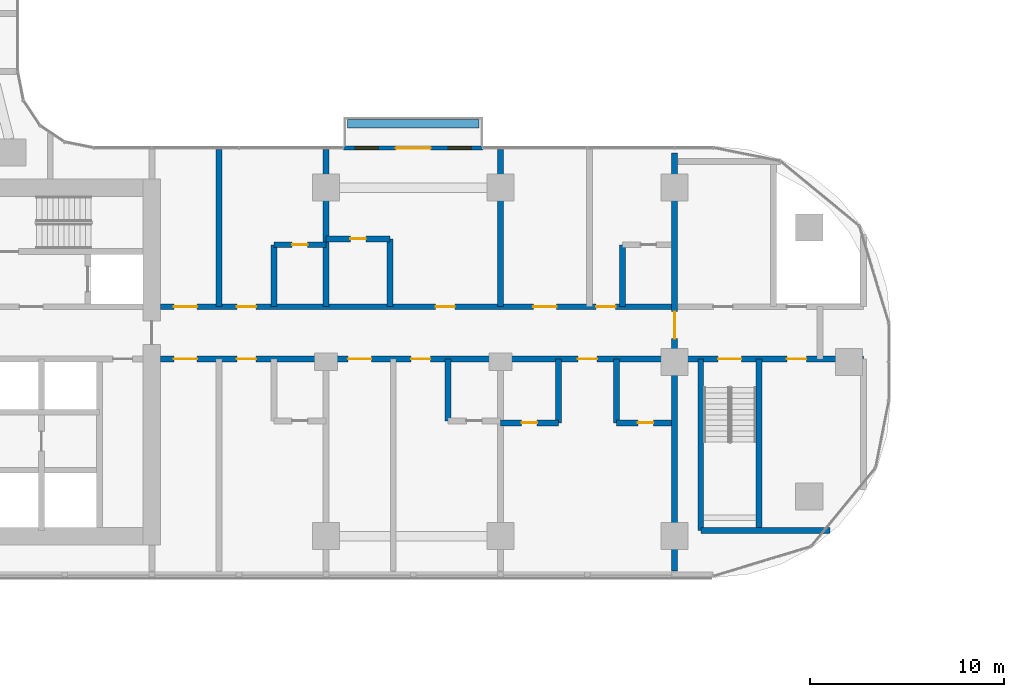
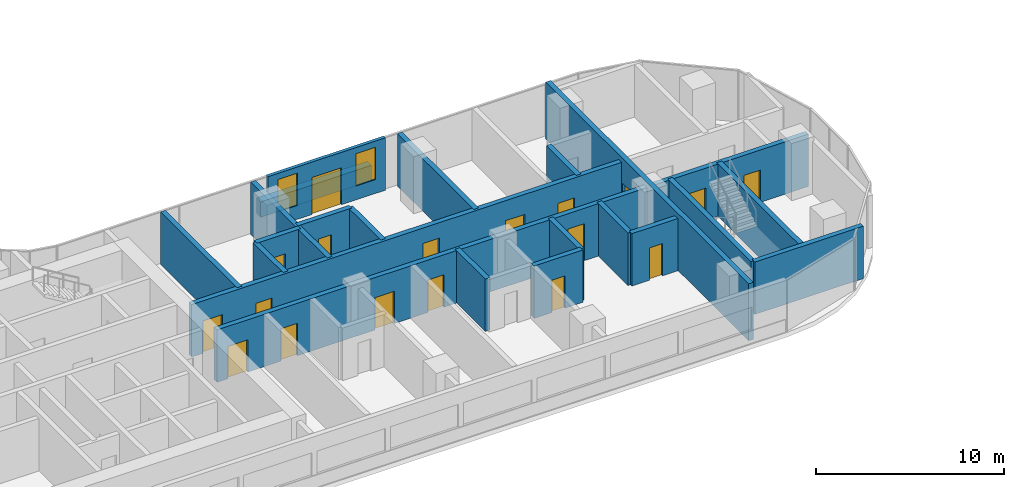
# One storey, part 17 of 32: 22 walls, 18 doors, 2 windows, 20 openings.
"""IFC4 building model written with IfcOpenShell, lengths in metres."""

from ifc_helpers import new_model, si_unit, direction, frame, frame_2d, origin, origin_2d, place, context, subcontext, project, spatial, rectangle, extrude, material, layer, layer_set, type_object, element, fill, save


model = new_model("IFC4")

# Units and contexts
model_context = context("Model", 3, precision=1e-05, world=origin(), true_north=direction((0.0, 1.0)))
body_context = subcontext(model_context, "Body", "Model", "MODEL_VIEW")
ifc_project = project(units=[si_unit("LENGTHUNIT", "METRE"), si_unit("AREAUNIT", "SQUARE_METRE"), si_unit("VOLUMEUNIT", "CUBIC_METRE"), si_unit("PLANEANGLEUNIT", "RADIAN"), si_unit("MASSUNIT", "GRAM", prefix="KILO")], contexts=[model_context])

# Site, building, storey
site_placement = place(None, origin())
site = spatial("IfcSite", under=ifc_project, at=site_placement, CompositionType="ELEMENT")
building_placement = place(site_placement, origin())
building = spatial("IfcBuilding", under=site, at=building_placement, Name="Ogive Portal Towers", CompositionType="ELEMENT")
storey_placement = place(building_placement, frame((0.0, 0.0, 55.699951171875)))
storey = spatial("IfcBuildingStorey", under=building, at=storey_placement, Name="L12", CompositionType="ELEMENT", Elevation=55.699951171875)

# Wall, openings, door, windows
ifc_material_1 = material(Name="Limestone cladding on lightweight block wall", Category="masonry")
ifc_layer_1 = layer(ifc_material_1, 0.199951171875)
ifc_layer_set_1 = layer_set([ifc_layer_1], Name="BALCONY BAY WALL 200")
wall_type_1 = type_object("IfcWallType", Name="BALCONY BAY WALL 200", PredefinedType="SOLIDWALL", material=ifc_layer_set_1)
wall_1_placement = place(storey_placement, frame((68.39990234375, 41.544921875, 0.0), z_axis=(0.0, 0.0, 1.0), x_axis=(1.0, 0.0, 0.0)))
wall_1 = element("IfcWall", 1, at=wall_1_placement, inside=storey, type_object=wall_type_1, Name="A:L12:f16:bay0", PredefinedType="SOLIDWALL", context=body_context, shape_type="SweptSolid", body=[
    extrude(rectangle(XDim=7.2001953125, YDim=0.199951171875, at=frame_2d((3.60009765625, 0.0))), origin(), (0.0, 0.0, 1.0), 3.400146484375),
])
opening_1_placement = place(wall_1_placement, frame((2.699951171875, 0.0, 0.0)))
opening_1 = element("IfcOpeningElement", 2, at=opening_1_placement, cuts=wall_1, Name="Opening DX025", PredefinedType="OPENING", context=body_context, shape_type="SweptSolid", body=[
    extrude(rectangle(XDim=1.800048828125, YDim=2.39990234375, at=frame_2d((0.89990234375, 1.199951171875))), frame((0.0, 0.10986328125, 0.0), z_axis=(0.0, -1.0, 0.0), x_axis=(1.0, 0.0, 0.0)), (0.0, 0.0, 1.0), 0.219970703125),
])
opening_2_placement = place(wall_1_placement, frame((5.39990234375, 0.0, 0.89990234375)))
opening_2 = element("IfcOpeningElement", 3, at=opening_2_placement, cuts=wall_1, Name="Opening WN2", PredefinedType="OPENING", context=body_context, shape_type="SweptSolid", body=[
    extrude(rectangle(XDim=1.199951171875, YDim=2.10009765625, at=frame_2d((0.60009765625, 1.050048828125))), frame((0.0, 0.10986328125, 0.0), z_axis=(0.0, -1.0, 0.0), x_axis=(1.0, 0.0, 0.0)), (0.0, 0.0, 1.0), 0.219970703125),
])
opening_3_placement = place(wall_1_placement, frame((0.60009765625, 0.0, 0.89990234375)))
opening_3 = element("IfcOpeningElement", 4, at=opening_3_placement, cuts=wall_1, Name="Opening WN2", PredefinedType="OPENING", context=body_context, shape_type="SweptSolid", body=[
    extrude(rectangle(XDim=1.199951171875, YDim=2.10009765625, at=frame_2d((0.60009765625, 1.050048828125))), frame((0.0, 0.10986328125, 0.0), z_axis=(0.0, -1.0, 0.0), x_axis=(1.0, 0.0, 0.0)), (0.0, 0.0, 1.0), 0.219970703125),
])
ifc_material_2 = material(Name="Aluminium 6063 anodised", Category="aluminium")
door_type_1 = type_object("IfcDoorType", Name="BALCONY DOOR 1800x2400", OperationType="DOUBLE_DOOR_SINGLE_SWING", PredefinedType="DOOR", material=ifc_material_2)
door_1_placement = place(opening_1_placement, origin())
door_1 = element("IfcDoor", 5, at=door_1_placement, inside=storey, type_object=door_type_1, Name="A:L12:f16:bay0/o0", OperationType="SINGLE_SWING_LEFT", OverallHeight=2.39990234375, OverallWidth=1.800048828125, PredefinedType="DOOR", context=body_context, shape_type="SweptSolid", body=[
    extrude(rectangle(XDim=1.800048828125, YDim=2.39990234375, at=frame_2d((0.89990234375, 1.199951171875))), frame((0.0, 0.02490234375, 0.0), z_axis=(0.0, -1.0, 0.0), x_axis=(1.0, 0.0, 0.0)), (0.0, 0.0, 1.0), 0.050048828125),
])
fill(opening_1, door_1)
ifc_material_3 = material(Name="Glass, clear low-iron insulated glazing", Category="glass")
window_type = type_object("IfcWindowType", Name="WINDOW BALCONY BAY 1200x2100", PartitioningType="SINGLE_PANEL", PredefinedType="WINDOW", material=ifc_material_3)
window_1_placement = place(opening_2_placement, origin())
window_1 = element("IfcWindow", 6, at=window_1_placement, inside=storey, type_object=window_type, Name="A:L12:f16:bay0/o1", OverallHeight=2.10009765625, OverallWidth=1.199951171875, PartitioningType="SINGLE_PANEL", PredefinedType="WINDOW", context=body_context, shape_type="SweptSolid", body=[
    extrude(rectangle(XDim=1.199951171875, YDim=2.10009765625, at=frame_2d((0.60009765625, 1.050048828125))), frame((0.0, 0.030029296875, 0.0), z_axis=(0.0, -1.0, 0.0), x_axis=(1.0, 0.0, 0.0)), (0.0, 0.0, 1.0), 0.06005859375),
])
fill(opening_2, window_1)
window_2_placement = place(opening_3_placement, origin())
window_2 = element("IfcWindow", 7, at=window_2_placement, inside=storey, type_object=window_type, Name="A:L12:f16:bay0/o2", OverallHeight=2.10009765625, OverallWidth=1.199951171875, PartitioningType="SINGLE_PANEL", PredefinedType="WINDOW", context=body_context, shape_type="SweptSolid", body=[
    extrude(rectangle(XDim=1.199951171875, YDim=2.10009765625, at=frame_2d((0.60009765625, 1.050048828125))), frame((0.0, 0.030029296875, 0.0), z_axis=(0.0, -1.0, 0.0), x_axis=(1.0, 0.0, 0.0)), (0.0, 0.0, 1.0), 0.06005859375),
])
fill(opening_3, window_2)

# Wall
ifc_material_4 = material(Name="Concrete C40/50", Category="concrete")
ifc_layer_2 = layer(ifc_material_4, 0.449951171875)
ifc_layer_set_2 = layer_set([ifc_layer_2], Name="PLANTER WALL 450")
wall_type_2 = type_object("IfcWallType", Name="PLANTER WALL 450", PredefinedType="SOLIDWALL", material=ifc_layer_set_2)
wall_2_placement = place(storey_placement, frame((72.0, 42.800048828125, 0.0), z_axis=(0.0, 0.0, 1.0), x_axis=(1.0, 0.0, 0.0)))
element("IfcWall", 8, at=wall_2_placement, inside=storey, type_object=wall_type_2, Name="Planter T2", PredefinedType="SOLIDWALL", context=body_context, shape_type="SweptSolid", body=[
    extrude(rectangle(XDim=6.800048828125, YDim=0.449951171875, at=origin_2d()), origin(), (0.0, 0.0, 1.0), 1.0),
])

# Wall, opening, door
ifc_material_5 = material(Name="Concrete C60/75", Category="concrete")
ifc_layer_3 = layer(ifc_material_5, 0.300048828125)
ifc_layer_set_3 = layer_set([ifc_layer_3], Name="REVEAL WALL 300 C60")
wall_type_3 = type_object("IfcWallType", Name="REVEAL WALL 300 C60", PredefinedType="SHEAR", material=ifc_layer_set_3)
wall_3_placement = place(storey_placement, frame((85.5, 19.705078125, 0.0), z_axis=(0.0, 0.0, 1.0), x_axis=(0.0, 1.0, 0.0)))
wall_3 = element("IfcWall", 9, at=wall_3_placement, inside=storey, type_object=wall_type_3, Name="Portal reveal wall L12", PredefinedType="SHEAR", context=body_context, shape_type="SweptSolid", body=[
    extrude(rectangle(XDim=21.58984375, YDim=0.300048828125, at=frame_2d((10.794921875, 0.0))), origin(), (0.0, 0.0, 1.0), 3.699951171875),
])
opening_4_placement = place(wall_3_placement, frame((11.9951171875, 0.0, 0.0)))
opening_4 = element("IfcOpeningElement", 10, at=opening_4_placement, cuts=wall_3, Name="Opening D03-063", PredefinedType="OPENING", context=body_context, shape_type="SweptSolid", body=[
    extrude(rectangle(XDim=1.39990234375, YDim=2.10009765625, at=frame_2d((0.699951171875, 1.050048828125))), frame((0.0, 0.16015625, 0.0), z_axis=(0.0, -1.0, 0.0), x_axis=(1.0, 0.0, 0.0)), (0.0, 0.0, 1.0), 0.320068359375),
])
ifc_material_6 = material(Name="Steel fire door", Category="steel")
door_type_2 = type_object("IfcDoorType", Name="DT-STAIR-1400x2100-FD90S", OperationType="SINGLE_SWING_LEFT", PredefinedType="DOOR", material=ifc_material_6)
door_2_placement = place(opening_4_placement, origin())
door_2 = element("IfcDoor", 11, at=door_2_placement, inside=storey, type_object=door_type_2, Name="Door D03-063", OperationType="SINGLE_SWING_RIGHT", OverallHeight=2.10009765625, OverallWidth=1.39990234375, PredefinedType="DOOR", context=body_context, shape_type="SweptSolid", body=[
    extrude(rectangle(XDim=1.39990234375, YDim=2.10009765625, at=frame_2d((0.699951171875, 1.050048828125))), frame((0.0, 0.02490234375, 0.0), z_axis=(0.0, -1.0, 0.0), x_axis=(1.0, 0.0, 0.0)), (0.0, 0.0, 1.0), 0.050048828125),
])
fill(opening_4, door_2)

# Wall
ifc_material_7 = material(Name="Concrete C50/60", Category="concrete")
ifc_layer_4 = layer(ifc_material_7, 0.300048828125)
ifc_layer_set_4 = layer_set([ifc_layer_4], Name="STAIR WALL 300 C50")
wall_type_4 = type_object("IfcWallType", Name="STAIR WALL 300 C50", PredefinedType="SHEAR", material=ifc_layer_set_4)
wall_4_placement = place(storey_placement, frame((86.85009765625, 21.800048828125, 0.0), z_axis=(0.0, 0.0, 1.0), x_axis=(1.0, 0.0, 0.0)))
element("IfcWall", 12, at=wall_4_placement, inside=storey, type_object=wall_type_4, Name="Stair wall ST-A4 L12", PredefinedType="SHEAR", context=body_context, shape_type="SweptSolid", body=[
    extrude(rectangle(XDim=6.663818359375, YDim=0.300048828125, at=frame_2d((3.33203125, 0.0))), origin(), (0.0, 0.0, 1.0), 3.400146484375),
])

# Wall, openings, doors
wall_5_placement = place(storey_placement, frame((85.669921875, 30.64990234375, 0.0), z_axis=(0.0, 0.0, 1.0), x_axis=(1.0, 0.0, 0.0)))
wall_5 = element("IfcWall", 13, at=wall_5_placement, inside=storey, type_object=wall_type_4, Name="Stair wall ST-A4 L12", PredefinedType="SHEAR", context=body_context, shape_type="SweptSolid", body=[
    extrude(rectangle(XDim=9.580078125, YDim=0.300048828125, at=frame_2d((4.7900390625, 0.0))), origin(), (0.0, 0.0, 1.0), 3.400146484375),
])
opening_5_placement = place(wall_5_placement, frame((2.080078125, 0.0, 0.0)))
opening_5 = element("IfcOpeningElement", 14, at=opening_5_placement, cuts=wall_5, Name="Opening D03-058", PredefinedType="OPENING", context=body_context, shape_type="SweptSolid", body=[
    extrude(rectangle(XDim=1.199951171875, YDim=2.10009765625, at=frame_2d((0.60009765625, 1.050048828125))), frame((0.0, 0.16015625, 0.0), z_axis=(0.0, -1.0, 0.0), x_axis=(1.0, 0.0, 0.0)), (0.0, 0.0, 1.0), 0.320068359375),
])
opening_6_placement = place(wall_5_placement, frame((5.6298828125, 0.0, 0.0)))
opening_6 = element("IfcOpeningElement", 15, at=opening_6_placement, cuts=wall_5, Name="Opening D03-061", PredefinedType="OPENING", context=body_context, shape_type="SweptSolid", body=[
    extrude(rectangle(XDim=1.0, YDim=2.10009765625, at=frame_2d((0.5, 1.050048828125))), frame((0.0, 0.16015625, 0.0), z_axis=(0.0, -1.0, 0.0), x_axis=(1.0, 0.0, 0.0)), (0.0, 0.0, 1.0), 0.320068359375),
])
door_type_3 = type_object("IfcDoorType", Name="DT-SERVICE-1000x2100-FD90S", OperationType="SINGLE_SWING_LEFT", PredefinedType="DOOR", material=ifc_material_6)
door_3_placement = place(opening_6_placement, origin())
door_3 = element("IfcDoor", 16, at=door_3_placement, inside=storey, type_object=door_type_3, Name="Door D03-061", OperationType="SINGLE_SWING_LEFT", OverallHeight=2.10009765625, OverallWidth=1.0, PredefinedType="DOOR", context=body_context, shape_type="SweptSolid", body=[
    extrude(rectangle(XDim=1.0, YDim=2.10009765625, at=frame_2d((0.5, 1.050048828125))), frame((0.0, 0.02490234375, 0.0), z_axis=(0.0, -1.0, 0.0), x_axis=(1.0, 0.0, 0.0)), (0.0, 0.0, 1.0), 0.050048828125),
])
fill(opening_6, door_3)
door_type_4 = type_object("IfcDoorType", Name="DT-STAIR-1200x2100-FD90S", OperationType="SINGLE_SWING_LEFT", PredefinedType="DOOR", material=ifc_material_6)
door_4_placement = place(opening_5_placement, origin())
door_4 = element("IfcDoor", 17, at=door_4_placement, inside=storey, type_object=door_type_4, Name="Door D03-058", OperationType="SINGLE_SWING_LEFT", OverallHeight=2.10009765625, OverallWidth=1.199951171875, PredefinedType="DOOR", context=body_context, shape_type="SweptSolid", body=[
    extrude(rectangle(XDim=1.199951171875, YDim=2.10009765625, at=frame_2d((0.60009765625, 1.050048828125))), frame((0.0, 0.02490234375, 0.0), z_axis=(0.0, -1.0, 0.0), x_axis=(1.0, 0.0, 0.0)), (0.0, 0.0, 1.0), 0.050048828125),
])
fill(opening_5, door_4)

# Walls
for number, where, z_axis, x_axis, name in (
    (18, (86.85009765625, 21.800048828125, 0.0), (0.0, 0.0, 1.0), (0.0, 1.0, 0.0), "Stair wall ST-A4 L12"),
    (19, (89.85009765625, 21.800048828125, 0.0), (0.0, 0.0, 1.0), (0.0, 1.0, 0.0), "Stair wall ST-A4 L12"),
):
    element("IfcWall", number, at=place(storey_placement, frame(where, z_axis=z_axis, x_axis=x_axis)), inside=storey, type_object=wall_type_4, Name=name, PredefinedType="SHEAR", context=body_context, shape_type="SweptSolid", body=[
        extrude(rectangle(XDim=8.849853515625, YDim=0.300048828125, at=frame_2d((4.4248046875, 0.0))), origin(), (0.0, 0.0, 1.0), 3.400146484375),
    ])

# Wall, openings, doors
ifc_material_8 = material(Name="Gypsum board partition on steel studs", Category="steel")
ifc_layer_5 = layer(ifc_material_8, 0.300048828125)
ifc_layer_set_5 = layer_set([ifc_layer_5], Name="WT-PART-300-EI 120")
wall_type_5 = type_object("IfcWallType", Name="WT-PART-300-EI 120", PredefinedType="PARTITIONING", material=ifc_layer_set_5)
wall_6_placement = place(storey_placement, frame((58.949951171875, 30.64990234375, 0.0), z_axis=(0.0, 0.0, 1.0), x_axis=(1.0, 0.0, 0.0)))
wall_6 = element("IfcWall", 20, at=wall_6_placement, inside=storey, type_object=wall_type_5, Name="Wall L12:w006", PredefinedType="PARTITIONING", context=body_context, shape_type="SweptSolid", body=[
    extrude(rectangle(XDim=26.380126953125, YDim=0.300048828125, at=frame_2d((13.18994140625, 0.0))), origin(), (0.0, 0.0, 1.0), 3.400146484375),
])
opening_7_placement = place(wall_6_placement, frame((0.68505859375, 0.0, 0.0)))
opening_7 = element("IfcOpeningElement", 21, at=opening_7_placement, cuts=wall_6, Name="Opening D03-029", PredefinedType="OPENING", context=body_context, shape_type="SweptSolid", body=[
    extrude(rectangle(XDim=1.199951171875, YDim=2.10009765625, at=frame_2d((0.60009765625, 1.050048828125))), frame((0.0, 0.16015625, 0.0), z_axis=(0.0, -1.0, 0.0), x_axis=(1.0, 0.0, 0.0)), (0.0, 0.0, 1.0), 0.320068359375),
])
opening_8_placement = place(wall_6_placement, frame((3.93505859375, 0.0, 0.0)))
opening_8 = element("IfcOpeningElement", 22, at=opening_8_placement, cuts=wall_6, Name="Opening D03-031", PredefinedType="OPENING", context=body_context, shape_type="SweptSolid", body=[
    extrude(rectangle(XDim=1.0, YDim=2.10009765625, at=frame_2d((0.5, 1.050048828125))), frame((0.0, 0.16015625, 0.0), z_axis=(0.0, -1.0, 0.0), x_axis=(1.0, 0.0, 0.0)), (0.0, 0.0, 1.0), 0.320068359375),
])
opening_9_placement = place(wall_6_placement, frame((9.68505859375, 0.0, 0.0)))
opening_9 = element("IfcOpeningElement", 23, at=opening_9_placement, cuts=wall_6, Name="Opening D03-034", PredefinedType="OPENING", context=body_context, shape_type="SweptSolid", body=[
    extrude(rectangle(XDim=1.199951171875, YDim=2.10009765625, at=frame_2d((0.60009765625, 1.050048828125))), frame((0.0, 0.16015625, 0.0), z_axis=(0.0, -1.0, 0.0), x_axis=(1.0, 0.0, 0.0)), (0.0, 0.0, 1.0), 0.320068359375),
])
opening_10_placement = place(wall_6_placement, frame((12.93505859375, 0.0, 0.0)))
opening_10 = element("IfcOpeningElement", 24, at=opening_10_placement, cuts=wall_6, Name="Opening D03-036", PredefinedType="OPENING", context=body_context, shape_type="SweptSolid", body=[
    extrude(rectangle(XDim=1.0, YDim=2.10009765625, at=frame_2d((0.5, 1.050048828125))), frame((0.0, 0.16015625, 0.0), z_axis=(0.0, -1.0, 0.0), x_axis=(1.0, 0.0, 0.0)), (0.0, 0.0, 1.0), 0.320068359375),
])
opening_11_placement = place(wall_6_placement, frame((21.550048828125, 0.0, 0.0)))
opening_11 = element("IfcOpeningElement", 25, at=opening_11_placement, cuts=wall_6, Name="Opening D03-042", PredefinedType="OPENING", context=body_context, shape_type="SweptSolid", body=[
    extrude(rectangle(XDim=1.0, YDim=2.39990234375, at=frame_2d((0.5, 1.199951171875))), frame((0.0, 0.16015625, 0.0), z_axis=(0.0, -1.0, 0.0), x_axis=(1.0, 0.0, 0.0)), (0.0, 0.0, 1.0), 0.320068359375),
])
door_type_5 = type_object("IfcDoorType", Name="DT-ENTRY-1000x2100-FD90S", OperationType="SINGLE_SWING_LEFT", PredefinedType="DOOR", material=ifc_material_6)
door_5_placement = place(opening_8_placement, origin())
door_5 = element("IfcDoor", 26, at=door_5_placement, inside=storey, type_object=door_type_5, Name="Door D03-031", OperationType="SINGLE_SWING_LEFT", OverallHeight=2.10009765625, OverallWidth=1.0, PredefinedType="DOOR", context=body_context, shape_type="SweptSolid", body=[
    extrude(rectangle(XDim=1.0, YDim=2.10009765625, at=frame_2d((0.5, 1.050048828125))), frame((0.0, 0.02490234375, 0.0), z_axis=(0.0, -1.0, 0.0), x_axis=(1.0, 0.0, 0.0)), (0.0, 0.0, 1.0), 0.050048828125),
])
fill(opening_8, door_5)
door_6_placement = place(opening_10_placement, origin())
door_6 = element("IfcDoor", 27, at=door_6_placement, inside=storey, type_object=door_type_5, Name="Door D03-036", OperationType="SINGLE_SWING_LEFT", OverallHeight=2.10009765625, OverallWidth=1.0, PredefinedType="DOOR", context=body_context, shape_type="SweptSolid", body=[
    extrude(rectangle(XDim=1.0, YDim=2.10009765625, at=frame_2d((0.5, 1.050048828125))), frame((0.0, 0.02490234375, 0.0), z_axis=(0.0, -1.0, 0.0), x_axis=(1.0, 0.0, 0.0)), (0.0, 0.0, 1.0), 0.050048828125),
])
fill(opening_10, door_6)
door_type_6 = type_object("IfcDoorType", Name="DT-ENTRY-1000x2400-FD90S", OperationType="SINGLE_SWING_LEFT", PredefinedType="DOOR", material=ifc_material_6)
door_7_placement = place(opening_11_placement, origin())
door_7 = element("IfcDoor", 28, at=door_7_placement, inside=storey, type_object=door_type_6, Name="Door D03-042", OperationType="SINGLE_SWING_RIGHT", OverallHeight=2.39990234375, OverallWidth=1.0, PredefinedType="DOOR", context=body_context, shape_type="SweptSolid", body=[
    extrude(rectangle(XDim=1.0, YDim=2.39990234375, at=frame_2d((0.5, 1.199951171875))), frame((0.0, 0.02490234375, 0.0), z_axis=(0.0, -1.0, 0.0), x_axis=(1.0, 0.0, 0.0)), (0.0, 0.0, 1.0), 0.050048828125),
])
fill(opening_11, door_7)
door_type_7 = type_object("IfcDoorType", Name="DT-ENTRY-1200x2100-FD90S", OperationType="SINGLE_SWING_LEFT", PredefinedType="DOOR", material=ifc_material_6)
door_8_placement = place(opening_7_placement, origin())
door_8 = element("IfcDoor", 29, at=door_8_placement, inside=storey, type_object=door_type_7, Name="Door D03-029", OperationType="SINGLE_SWING_LEFT", OverallHeight=2.10009765625, OverallWidth=1.199951171875, PredefinedType="DOOR", context=body_context, shape_type="SweptSolid", body=[
    extrude(rectangle(XDim=1.199951171875, YDim=2.10009765625, at=frame_2d((0.60009765625, 1.050048828125))), frame((0.0, 0.02490234375, 0.0), z_axis=(0.0, -1.0, 0.0), x_axis=(1.0, 0.0, 0.0)), (0.0, 0.0, 1.0), 0.050048828125),
])
fill(opening_7, door_8)
door_9_placement = place(opening_9_placement, origin())
door_9 = element("IfcDoor", 30, at=door_9_placement, inside=storey, type_object=door_type_7, Name="Door D03-034", OperationType="SINGLE_SWING_RIGHT", OverallHeight=2.10009765625, OverallWidth=1.199951171875, PredefinedType="DOOR", context=body_context, shape_type="SweptSolid", body=[
    extrude(rectangle(XDim=1.199951171875, YDim=2.10009765625, at=frame_2d((0.60009765625, 1.050048828125))), frame((0.0, 0.02490234375, 0.0), z_axis=(0.0, -1.0, 0.0), x_axis=(1.0, 0.0, 0.0)), (0.0, 0.0, 1.0), 0.050048828125),
])
fill(opening_9, door_9)

wall_7_placement = place(storey_placement, frame((58.949951171875, 33.35009765625, 0.0), z_axis=(0.0, 0.0, 1.0), x_axis=(1.0, 0.0, 0.0)))
wall_7 = element("IfcWall", 31, at=wall_7_placement, inside=storey, type_object=wall_type_5, Name="Wall L12:w008", PredefinedType="PARTITIONING", context=body_context, shape_type="SweptSolid", body=[
    extrude(rectangle(XDim=26.380126953125, YDim=0.300048828125, at=frame_2d((13.18994140625, 0.0))), origin(), (0.0, 0.0, 1.0), 3.400146484375),
])
opening_12_placement = place(wall_7_placement, frame((0.68505859375, 0.0, 0.0)))
opening_12 = element("IfcOpeningElement", 32, at=opening_12_placement, cuts=wall_7, Name="Opening D03-026", PredefinedType="OPENING", context=body_context, shape_type="SweptSolid", body=[
    extrude(rectangle(XDim=1.199951171875, YDim=2.10009765625, at=frame_2d((0.60009765625, 1.050048828125))), frame((0.0, 0.16015625, 0.0), z_axis=(0.0, -1.0, 0.0), x_axis=(1.0, 0.0, 0.0)), (0.0, 0.0, 1.0), 0.320068359375),
])
opening_13_placement = place(wall_7_placement, frame((3.93505859375, 0.0, 0.0)))
opening_13 = element("IfcOpeningElement", 33, at=opening_13_placement, cuts=wall_7, Name="Opening D03-028", PredefinedType="OPENING", context=body_context, shape_type="SweptSolid", body=[
    extrude(rectangle(XDim=1.0, YDim=2.10009765625, at=frame_2d((0.5, 1.050048828125))), frame((0.0, 0.16015625, 0.0), z_axis=(0.0, -1.0, 0.0), x_axis=(1.0, 0.0, 0.0)), (0.0, 0.0, 1.0), 0.320068359375),
])
opening_14_placement = place(wall_7_placement, frame((14.199951171875, 0.0, 0.0)))
opening_14 = element("IfcOpeningElement", 34, at=opening_14_placement, cuts=wall_7, Name="Opening D03-033", PredefinedType="OPENING", context=body_context, shape_type="SweptSolid", body=[
    extrude(rectangle(XDim=1.0, YDim=2.39990234375, at=frame_2d((0.5, 1.199951171875))), frame((0.0, 0.16015625, 0.0), z_axis=(0.0, -1.0, 0.0), x_axis=(1.0, 0.0, 0.0)), (0.0, 0.0, 1.0), 0.320068359375),
])
opening_15_placement = place(wall_7_placement, frame((19.25, 0.0, 0.0)))
opening_15 = element("IfcOpeningElement", 35, at=opening_15_placement, cuts=wall_7, Name="Opening D03-037", PredefinedType="OPENING", context=body_context, shape_type="SweptSolid", body=[
    extrude(rectangle(XDim=1.199951171875, YDim=2.10009765625, at=frame_2d((0.60009765625, 1.050048828125))), frame((0.0, 0.16015625, 0.0), z_axis=(0.0, -1.0, 0.0), x_axis=(1.0, 0.0, 0.0)), (0.0, 0.0, 1.0), 0.320068359375),
])
opening_16_placement = place(wall_7_placement, frame((22.5, 0.0, 0.0)))
opening_16 = element("IfcOpeningElement", 36, at=opening_16_placement, cuts=wall_7, Name="Opening D03-039", PredefinedType="OPENING", context=body_context, shape_type="SweptSolid", body=[
    extrude(rectangle(XDim=1.0, YDim=2.10009765625, at=frame_2d((0.5, 1.050048828125))), frame((0.0, 0.16015625, 0.0), z_axis=(0.0, -1.0, 0.0), x_axis=(1.0, 0.0, 0.0)), (0.0, 0.0, 1.0), 0.320068359375),
])
door_10_placement = place(opening_13_placement, origin())
door_10 = element("IfcDoor", 37, at=door_10_placement, inside=storey, type_object=door_type_5, Name="Door D03-028", OperationType="SINGLE_SWING_LEFT", OverallHeight=2.10009765625, OverallWidth=1.0, PredefinedType="DOOR", context=body_context, shape_type="SweptSolid", body=[
    extrude(rectangle(XDim=1.0, YDim=2.10009765625, at=frame_2d((0.5, 1.050048828125))), frame((0.0, 0.02490234375, 0.0), z_axis=(0.0, -1.0, 0.0), x_axis=(1.0, 0.0, 0.0)), (0.0, 0.0, 1.0), 0.050048828125),
])
fill(opening_13, door_10)
door_11_placement = place(opening_16_placement, origin())
door_11 = element("IfcDoor", 38, at=door_11_placement, inside=storey, type_object=door_type_5, Name="Door D03-039", OperationType="SINGLE_SWING_LEFT", OverallHeight=2.10009765625, OverallWidth=1.0, PredefinedType="DOOR", context=body_context, shape_type="SweptSolid", body=[
    extrude(rectangle(XDim=1.0, YDim=2.10009765625, at=frame_2d((0.5, 1.050048828125))), frame((0.0, 0.02490234375, 0.0), z_axis=(0.0, -1.0, 0.0), x_axis=(1.0, 0.0, 0.0)), (0.0, 0.0, 1.0), 0.050048828125),
])
fill(opening_16, door_11)
door_12_placement = place(opening_14_placement, origin())
door_12 = element("IfcDoor", 39, at=door_12_placement, inside=storey, type_object=door_type_6, Name="Door D03-033", OperationType="SINGLE_SWING_LEFT", OverallHeight=2.39990234375, OverallWidth=1.0, PredefinedType="DOOR", context=body_context, shape_type="SweptSolid", body=[
    extrude(rectangle(XDim=1.0, YDim=2.39990234375, at=frame_2d((0.5, 1.199951171875))), frame((0.0, 0.02490234375, 0.0), z_axis=(0.0, -1.0, 0.0), x_axis=(1.0, 0.0, 0.0)), (0.0, 0.0, 1.0), 0.050048828125),
])
fill(opening_14, door_12)
door_13_placement = place(opening_12_placement, origin())
door_13 = element("IfcDoor", 40, at=door_13_placement, inside=storey, type_object=door_type_7, Name="Door D03-026", OperationType="SINGLE_SWING_LEFT", OverallHeight=2.10009765625, OverallWidth=1.199951171875, PredefinedType="DOOR", context=body_context, shape_type="SweptSolid", body=[
    extrude(rectangle(XDim=1.199951171875, YDim=2.10009765625, at=frame_2d((0.60009765625, 1.050048828125))), frame((0.0, 0.02490234375, 0.0), z_axis=(0.0, -1.0, 0.0), x_axis=(1.0, 0.0, 0.0)), (0.0, 0.0, 1.0), 0.050048828125),
])
fill(opening_12, door_13)
door_14_placement = place(opening_15_placement, origin())
door_14 = element("IfcDoor", 41, at=door_14_placement, inside=storey, type_object=door_type_7, Name="Door D03-037", OperationType="SINGLE_SWING_RIGHT", OverallHeight=2.10009765625, OverallWidth=1.199951171875, PredefinedType="DOOR", context=body_context, shape_type="SweptSolid", body=[
    extrude(rectangle(XDim=1.199951171875, YDim=2.10009765625, at=frame_2d((0.60009765625, 1.050048828125))), frame((0.0, 0.02490234375, 0.0), z_axis=(0.0, -1.0, 0.0), x_axis=(1.0, 0.0, 0.0)), (0.0, 0.0, 1.0), 0.050048828125),
])
fill(opening_15, door_14)

# Wall, opening, door
ifc_layer_6 = layer(ifc_material_8, 0.300048828125)
ifc_layer_set_6 = layer_set([ifc_layer_6], Name="WT-PART-300-EI 60")
wall_type_6 = type_object("IfcWallType", Name="WT-PART-300-EI 60", PredefinedType="PARTITIONING", material=ifc_layer_set_6)
wall_8_placement = place(storey_placement, frame((76.5, 27.35009765625, 0.0), z_axis=(0.0, 0.0, 1.0), x_axis=(1.0, 0.0, 0.0)))
wall_8 = element("IfcWall", 42, at=wall_8_placement, inside=storey, type_object=wall_type_6, Name="Wall L12:w002", PredefinedType="PARTITIONING", context=body_context, shape_type="SweptSolid", body=[
    extrude(rectangle(XDim=3.0, YDim=0.300048828125, at=frame_2d((1.5, 0.0))), origin(), (0.0, 0.0, 1.0), 3.400146484375),
])
opening_17_placement = place(wall_8_placement, frame((1.10009765625, 0.0, 0.0)))
opening_17 = element("IfcOpeningElement", 43, at=opening_17_placement, cuts=wall_8, Name="Opening D03-040", PredefinedType="OPENING", context=body_context, shape_type="SweptSolid", body=[
    extrude(rectangle(XDim=0.800048828125, YDim=2.10009765625, at=frame_2d((0.39990234375, 1.050048828125))), frame((0.0, 0.16015625, 0.0), z_axis=(0.0, -1.0, 0.0), x_axis=(1.0, 0.0, 0.0)), (0.0, 0.0, 1.0), 0.320068359375),
])
door_type_8 = type_object("IfcDoorType", Name="DT-BATH-800x2100-FD60S", OperationType="SINGLE_SWING_LEFT", PredefinedType="DOOR", material=ifc_material_6)
door_15_placement = place(opening_17_placement, origin())
door_15 = element("IfcDoor", 44, at=door_15_placement, inside=storey, type_object=door_type_8, Name="Door D03-040", OperationType="SINGLE_SWING_LEFT", OverallHeight=2.10009765625, OverallWidth=0.800048828125, PredefinedType="DOOR", context=body_context, shape_type="SweptSolid", body=[
    extrude(rectangle(XDim=0.800048828125, YDim=2.10009765625, at=frame_2d((0.39990234375, 1.050048828125))), frame((0.0, 0.02490234375, 0.0), z_axis=(0.0, -1.0, 0.0), x_axis=(1.0, 0.0, 0.0)), (0.0, 0.0, 1.0), 0.050048828125),
])
fill(opening_17, door_15)

wall_9_placement = place(storey_placement, frame((82.5, 27.35009765625, 0.0), z_axis=(0.0, 0.0, 1.0), x_axis=(1.0, 0.0, 0.0)))
wall_9 = element("IfcWall", 45, at=wall_9_placement, inside=storey, type_object=wall_type_6, Name="Wall L12:w003", PredefinedType="PARTITIONING", context=body_context, shape_type="SweptSolid", body=[
    extrude(rectangle(XDim=2.830078125, YDim=0.300048828125, at=frame_2d((1.4150390625, 0.0))), origin(), (0.0, 0.0, 1.0), 3.400146484375),
])
opening_18_placement = place(wall_9_placement, frame((1.10009765625, 0.0, 0.0)))
opening_18 = element("IfcOpeningElement", 46, at=opening_18_placement, cuts=wall_9, Name="Opening D03-041", PredefinedType="OPENING", context=body_context, shape_type="SweptSolid", body=[
    extrude(rectangle(XDim=0.800048828125, YDim=2.10009765625, at=frame_2d((0.39990234375, 1.050048828125))), frame((0.0, 0.16015625, 0.0), z_axis=(0.0, -1.0, 0.0), x_axis=(1.0, 0.0, 0.0)), (0.0, 0.0, 1.0), 0.320068359375),
])
door_16_placement = place(opening_18_placement, origin())
door_16 = element("IfcDoor", 47, at=door_16_placement, inside=storey, type_object=door_type_8, Name="Door D03-041", OperationType="SINGLE_SWING_LEFT", OverallHeight=2.10009765625, OverallWidth=0.800048828125, PredefinedType="DOOR", context=body_context, shape_type="SweptSolid", body=[
    extrude(rectangle(XDim=0.800048828125, YDim=2.10009765625, at=frame_2d((0.39990234375, 1.050048828125))), frame((0.0, 0.02490234375, 0.0), z_axis=(0.0, -1.0, 0.0), x_axis=(1.0, 0.0, 0.0)), (0.0, 0.0, 1.0), 0.050048828125),
])
fill(opening_18, door_16)

wall_10_placement = place(storey_placement, frame((64.800048828125, 36.550048828125, 0.0), z_axis=(0.0, 0.0, 1.0), x_axis=(1.0, 0.0, 0.0)))
wall_10 = element("IfcWall", 48, at=wall_10_placement, inside=storey, type_object=wall_type_6, Name="Wall L12:w010", PredefinedType="PARTITIONING", context=body_context, shape_type="SweptSolid", body=[
    extrude(rectangle(XDim=2.699951171875, YDim=0.300048828125, at=frame_2d((1.35009765625, 0.0))), origin(), (0.0, 0.0, 1.0), 3.400146484375),
])
opening_19_placement = place(wall_10_placement, frame((0.949951171875, 0.0, 0.0)))
opening_19 = element("IfcOpeningElement", 49, at=opening_19_placement, cuts=wall_10, Name="Opening D03-027", PredefinedType="OPENING", context=body_context, shape_type="SweptSolid", body=[
    extrude(rectangle(XDim=0.800048828125, YDim=2.10009765625, at=frame_2d((0.39990234375, 1.050048828125))), frame((0.0, 0.16015625, 0.0), z_axis=(0.0, -1.0, 0.0), x_axis=(1.0, 0.0, 0.0)), (0.0, 0.0, 1.0), 0.320068359375),
])
door_17_placement = place(opening_19_placement, origin())
door_17 = element("IfcDoor", 50, at=door_17_placement, inside=storey, type_object=door_type_8, Name="Door D03-027", OperationType="SINGLE_SWING_RIGHT", OverallHeight=2.10009765625, OverallWidth=0.800048828125, PredefinedType="DOOR", context=body_context, shape_type="SweptSolid", body=[
    extrude(rectangle(XDim=0.800048828125, YDim=2.10009765625, at=frame_2d((0.39990234375, 1.050048828125))), frame((0.0, 0.02490234375, 0.0), z_axis=(0.0, -1.0, 0.0), x_axis=(1.0, 0.0, 0.0)), (0.0, 0.0, 1.0), 0.050048828125),
])
fill(opening_19, door_17)

wall_11_placement = place(storey_placement, frame((67.5, 36.85009765625, 0.0), z_axis=(0.0, 0.0, 1.0), x_axis=(1.0, 0.0, 0.0)))
wall_11 = element("IfcWall", 51, at=wall_11_placement, inside=storey, type_object=wall_type_6, Name="Wall L12:w012", PredefinedType="PARTITIONING", context=body_context, shape_type="SweptSolid", body=[
    extrude(rectangle(XDim=3.300048828125, YDim=0.300048828125, at=frame_2d((1.64990234375, 0.0))), origin(), (0.0, 0.0, 1.0), 3.400146484375),
])
opening_20_placement = place(wall_11_placement, frame((1.25, 0.0, 0.0)))
opening_20 = element("IfcOpeningElement", 52, at=opening_20_placement, cuts=wall_11, Name="Opening D03-032", PredefinedType="OPENING", context=body_context, shape_type="SweptSolid", body=[
    extrude(rectangle(XDim=0.800048828125, YDim=2.10009765625, at=frame_2d((0.39990234375, 1.050048828125))), frame((0.0, 0.16015625, 0.0), z_axis=(0.0, -1.0, 0.0), x_axis=(1.0, 0.0, 0.0)), (0.0, 0.0, 1.0), 0.320068359375),
])
door_18_placement = place(opening_20_placement, origin())
door_18 = element("IfcDoor", 53, at=door_18_placement, inside=storey, type_object=door_type_8, Name="Door D03-032", OperationType="SINGLE_SWING_LEFT", OverallHeight=2.10009765625, OverallWidth=0.800048828125, PredefinedType="DOOR", context=body_context, shape_type="SweptSolid", body=[
    extrude(rectangle(XDim=0.800048828125, YDim=2.10009765625, at=frame_2d((0.39990234375, 1.050048828125))), frame((0.0, 0.02490234375, 0.0), z_axis=(0.0, -1.0, 0.0), x_axis=(1.0, 0.0, 0.0)), (0.0, 0.0, 1.0), 0.050048828125),
])
fill(opening_20, door_18)

# Walls
wall_12_placement = place(storey_placement, frame((61.969970703125, 33.35009765625, 0.0), z_axis=(0.0, 0.0, 1.0), x_axis=(0.0, 1.0, 0.0)))
element("IfcWall", 54, at=wall_12_placement, inside=storey, type_object=wall_type_6, Name="Wall L12:w046", PredefinedType="PARTITIONING", context=body_context, shape_type="SweptSolid", body=[
    extrude(rectangle(XDim=8.125, YDim=0.300048828125, at=frame_2d((4.0625, 0.0))), origin(), (0.0, 0.0, 1.0), 3.400146484375),
])
wall_13_placement = place(storey_placement, frame((64.800048828125, 33.35009765625, 0.0), z_axis=(0.0, 0.0, 1.0), x_axis=(0.0, 1.0, 0.0)))
element("IfcWall", 55, at=wall_13_placement, inside=storey, type_object=wall_type_6, Name="Wall L12:w048", PredefinedType="PARTITIONING", context=body_context, shape_type="SweptSolid", body=[
    extrude(rectangle(XDim=3.199951171875, YDim=0.300048828125, at=frame_2d((1.60009765625, 0.0))), origin(), (0.0, 0.0, 1.0), 3.400146484375),
])
wall_14_placement = place(storey_placement, frame((67.5, 33.35009765625, 0.0), z_axis=(0.0, 0.0, 1.0), x_axis=(0.0, 1.0, 0.0)))
element("IfcWall", 56, at=wall_14_placement, inside=storey, type_object=wall_type_6, Name="Wall L12:w050", PredefinedType="PARTITIONING", context=body_context, shape_type="SweptSolid", body=[
    extrude(rectangle(XDim=8.125, YDim=0.300048828125, at=frame_2d((4.0625, 0.0))), origin(), (0.0, 0.0, 1.0), 3.400146484375),
])
wall_15_placement = place(storey_placement, frame((70.800048828125, 33.35009765625, 0.0), z_axis=(0.0, 0.0, 1.0), x_axis=(0.0, 1.0, 0.0)))
element("IfcWall", 57, at=wall_15_placement, inside=storey, type_object=wall_type_6, Name="Wall L12:w051", PredefinedType="PARTITIONING", context=body_context, shape_type="SweptSolid", body=[
    extrude(rectangle(XDim=3.5, YDim=0.300048828125, at=frame_2d((1.75, 0.0))), origin(), (0.0, 0.0, 1.0), 3.400146484375),
])
wall_16_placement = place(storey_placement, frame((73.800048828125, 27.449951171875, 0.0), z_axis=(0.0, 0.0, 1.0), x_axis=(0.0, 1.0, 0.0)))
element("IfcWall", 58, at=wall_16_placement, inside=storey, type_object=wall_type_6, Name="Wall L12:w053", PredefinedType="PARTITIONING", context=body_context, shape_type="SweptSolid", body=[
    extrude(rectangle(XDim=3.199951171875, YDim=0.300048828125, at=frame_2d((1.60009765625, 0.0))), origin(), (0.0, 0.0, 1.0), 3.400146484375),
])
wall_17_placement = place(storey_placement, frame((76.5, 33.35009765625, 0.0), z_axis=(0.0, 0.0, 1.0), x_axis=(0.0, 1.0, 0.0)))
element("IfcWall", 59, at=wall_17_placement, inside=storey, type_object=wall_type_6, Name="Wall L12:w055", PredefinedType="PARTITIONING", context=body_context, shape_type="SweptSolid", body=[
    extrude(rectangle(XDim=8.125, YDim=0.300048828125, at=frame_2d((4.0625, 0.0))), origin(), (0.0, 0.0, 1.0), 3.400146484375),
])
for number, where, z_axis, x_axis, name in (
    (60, (79.5, 27.35009765625, 0.0), (0.0, 0.0, 1.0), (0.0, 1.0, 0.0), "Wall L12:w056"),
    (61, (82.5, 27.35009765625, 0.0), (0.0, 0.0, 1.0), (0.0, 1.0, 0.0), "Wall L12:w058"),
):
    element("IfcWall", number, at=place(storey_placement, frame(where, z_axis=z_axis, x_axis=x_axis)), inside=storey, type_object=wall_type_6, Name=name, PredefinedType="PARTITIONING", context=body_context, shape_type="SweptSolid", body=[
        extrude(rectangle(XDim=3.2998046875, YDim=0.300048828125, at=frame_2d((1.64990234375, 0.0))), origin(), (0.0, 0.0, 1.0), 3.400146484375),
    ])
wall_18_placement = place(storey_placement, frame((82.800048828125, 33.35009765625, 0.0), z_axis=(0.0, 0.0, 1.0), x_axis=(0.0, 1.0, 0.0)))
element("IfcWall", 62, at=wall_18_placement, inside=storey, type_object=wall_type_6, Name="Wall L12:w059", PredefinedType="PARTITIONING", context=body_context, shape_type="SweptSolid", body=[
    extrude(rectangle(XDim=3.199951171875, YDim=0.300048828125, at=frame_2d((1.60009765625, 0.0))), origin(), (0.0, 0.0, 1.0), 3.400146484375),
])

save(model, "model.ifc")
